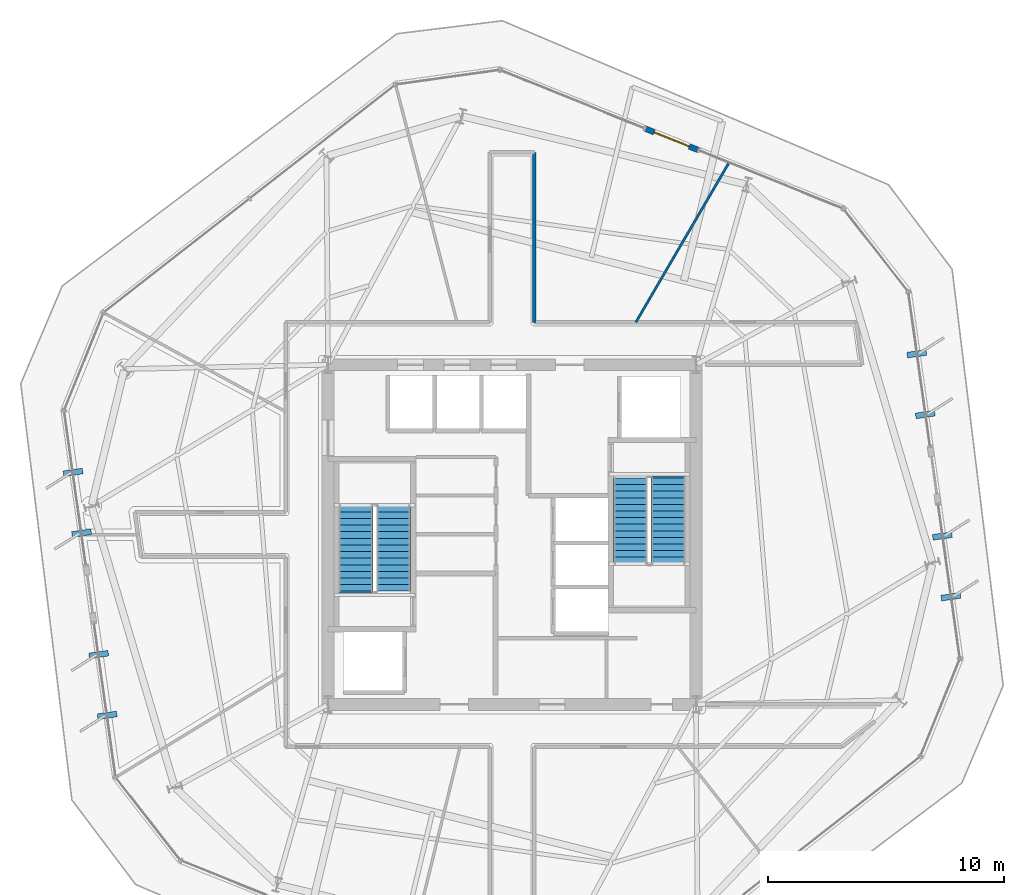
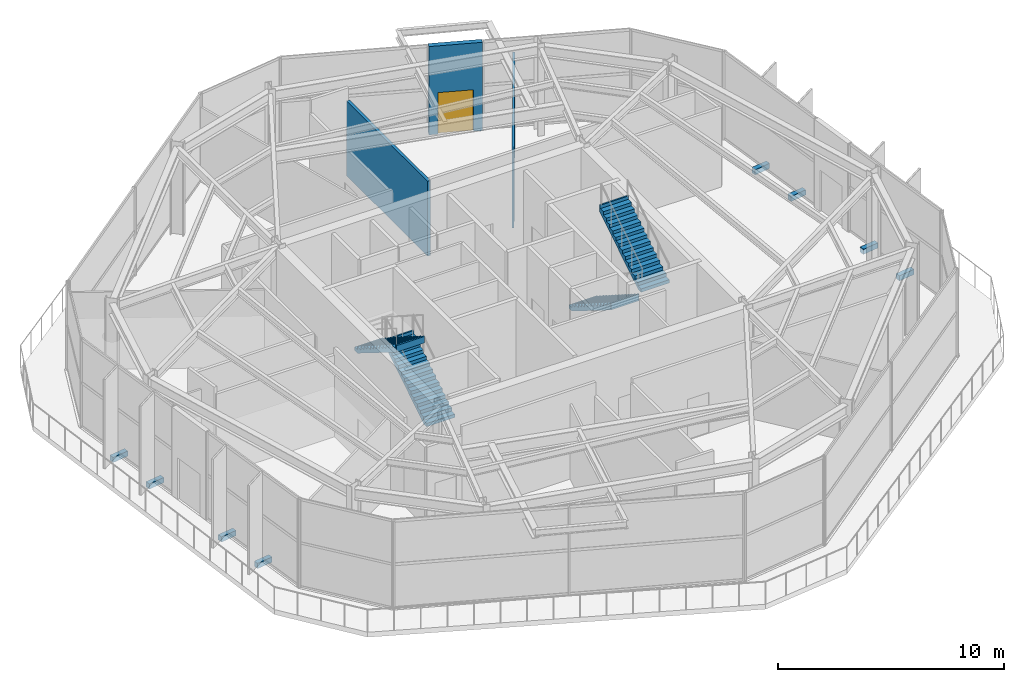
# One storey, part 11 of 14: 8 discrete accessories, 4 stair flights, 3 walls, 1 door, 1 opening, 2 elements without a shape of their own.
"""IFC4 building model written with IfcOpenShell, lengths in metres."""

from ifc_helpers import new_model, si_unit, direction, frame, frame_2d, origin, origin_2d, place, context, subcontext, project, spatial, polyline, rectangle, outline, extrude, material, layer, layer_set, type_object, element, fill, aggregate, save


model = new_model("IFC4")

# Units and contexts
model_context = context("Model", 3, precision=1e-05, world=origin(), true_north=direction((0.0, 1.0)))
body_context = subcontext(model_context, "Body", "Model", "MODEL_VIEW")
ifc_project = project(units=[si_unit("LENGTHUNIT", "METRE"), si_unit("AREAUNIT", "SQUARE_METRE"), si_unit("VOLUMEUNIT", "CUBIC_METRE"), si_unit("PLANEANGLEUNIT", "RADIAN"), si_unit("MASSUNIT", "GRAM", prefix="KILO")], contexts=[model_context])

# Site, building, storey
site_placement = place(None, origin())
site = spatial("IfcSite", under=ifc_project, at=site_placement, CompositionType="ELEMENT")
building_placement = place(site_placement, origin())
building = spatial("IfcBuilding", under=site, at=building_placement, Name="Kranzbogen Civic Tower", CompositionType="ELEMENT")
storey_placement = place(building_placement, frame((0.0, 0.0, 175.800048828125)))
storey = spatial("IfcBuildingStorey", under=building, at=storey_placement, Name="L42", CompositionType="ELEMENT", Elevation=175.800048828125)

# Walls
ifc_material_1 = material(Name="Double-Stud Acoustic Gypsum Partition")
ifc_layer_1 = layer(ifc_material_1, 0.14990234375, Name="Double-Stud Acoustic Gypsum Partition")
ifc_layer_set_1 = layer_set([ifc_layer_1], Name="Double-Stud Acoustic Gypsum Partition")
wall_type_1 = type_object("IfcWallType", Name="Acoustic Corridor and Clinical Partition 150 mm", PredefinedType="PARTITIONING", material=ifc_layer_set_1)
wall_1_placement = place(storey_placement, frame((25.949951171875, 41.199951171875, 0.0), z_axis=(0.0, 0.0, 1.0), x_axis=(0.0, -1.0, 0.0)))
element("IfcWall", 1, at=wall_1_placement, inside=storey, type_object=wall_type_1, Name="L42 corridor partition 13", PredefinedType="PARTITIONING", context=body_context, shape_type="SweptSolid", body=[
    extrude(rectangle(XDim=7.199951171875, YDim=0.14990234375, at=frame_2d((3.60009765625, 0.0))), origin(), (0.0, 0.0, 1.0), 4.050048828125),
])
ifc_material_2 = material(Name="Demountable Aluminium and Gypsum Partition", Category="aluminium")
ifc_layer_2 = layer(ifc_material_2, 0.10009765625, Name="Demountable Aluminium and Gypsum Partition")
ifc_layer_set_2 = layer_set([ifc_layer_2], Name="Demountable Aluminium and Gypsum Partition")
wall_type_2 = type_object("IfcWallType", Name="Demountable Office Partition 100 mm", PredefinedType="MOVABLE", material=ifc_layer_set_2)
wall_2_placement = place(storey_placement, frame((30.2509765625, 34.0, 0.0), z_axis=(0.0, 0.0, 1.0), x_axis=(0.503904002924, 0.863759663238, 0.0)))
element("IfcWall", 2, at=wall_2_placement, inside=storey, type_object=wall_type_2, Name="L42 radial room partition 01", PredefinedType="MOVABLE", context=body_context, shape_type="SweptSolid", body=[
    extrude(rectangle(XDim=7.8251953125, YDim=0.10009765625, at=frame_2d((3.91259765625, 0.0))), origin(), (0.0, 0.0, 1.0), 4.050048828125),
])

# Wall, opening, door
ifc_material_3 = material(Name="Pale Anodised Aluminium", Category="aluminium")
ifc_layer_3 = layer(ifc_material_3, 0.239990234375, Name="Pale Anodised Aluminium")
ifc_layer_set_3 = layer_set([ifc_layer_3], Name="Pale Anodised Aluminium")
wall_type_3 = type_object("IfcWallType", Name="Insulated Aluminium Facade Portal Wall 240 mm", PredefinedType="STANDARD", material=ifc_layer_set_3)
wall_3_placement = place(storey_placement, frame((32.883056640625, 41.305908203125, 0.0), z_axis=(0.0, 0.0, 1.0), x_axis=(-0.927158943198, 0.374668245315, 0.0)))
wall_3 = element("IfcWall", 3, at=wall_3_placement, inside=storey, type_object=wall_type_3, Name="L42 exterior entrance portal wall 1", PredefinedType="STANDARD", context=body_context, shape_type="SweptSolid", body=[
    extrude(rectangle(XDim=2.39990234375, YDim=0.239990234375, at=frame_2d((1.199951171875, 0.0))), origin(), (0.0, 0.0, 1.0), 4.780029296875),
])
opening_placement = place(wall_3_placement, frame((0.39990234375, 0.0, 0.0)))
opening = element("IfcOpeningElement", 4, at=opening_placement, cuts=wall_3, Name="Opening D-TER", PredefinedType="OPENING", context=body_context, shape_type="SweptSolid", body=[
    extrude(rectangle(XDim=1.60009765625, YDim=2.25, at=frame_2d((0.800048828125, 1.125))), frame((0.0, 0.1298828125, 0.0), z_axis=(0.0, -1.0, 0.0), x_axis=(1.0, 0.0, 0.0)), (0.0, 0.0, 1.0), 0.260009765625),
])
ifc_material_4 = material(Name="Anodised Bronze and Triple Glass", Category="glass")
door_type = type_object("IfcDoorType", Name="Glazed Terrace and Balcony Double Door 1600x2250", OperationType="DOUBLE_DOOR_SINGLE_SWING", PredefinedType="DOOR", material=ifc_material_4)
door_placement = place(opening_placement, frame((1.60009765625, 0.0, 0.0), z_axis=(0.0, 0.0, 1.0), x_axis=(-1.0, 0.0, 0.0)))
door = element("IfcDoor", 5, at=door_placement, inside=storey, type_object=door_type, Name="L42 spiral terrace access door L42-ST", OperationType="DOUBLE_DOOR_SINGLE_SWING", OverallHeight=2.25, OverallWidth=1.60009765625, PredefinedType="DOOR", context=body_context, shape_type="SweptSolid", body=[
    extrude(rectangle(XDim=1.60009765625, YDim=2.25, at=frame_2d((0.800048828125, 1.125))), frame((0.0, 0.02490234375, 0.0), z_axis=(0.0, -1.0, 0.0), x_axis=(1.0, 0.0, 0.0)), (0.0, 0.0, 1.0), 0.050048828125),
])
fill(opening, door)

# Stair, stair flights
ifc_material_5 = material(Name="Precast concrete C40/50", Category="concrete")
stair_type_1 = type_object("IfcStairType", Name="Tower Core Pressurized Dogleg Stair 1450", PredefinedType="HALF_TURN_STAIR", material=ifc_material_5)
stair_1_placement = place(storey_placement, origin())
stair_1 = element("IfcStair", 6, at=stair_1_placement, inside=storey, type_object=stair_type_1, Name="L42 Tower Core Pressurized Stair 1", PredefinedType="HALF_TURN_STAIR")
stair_flight_type = type_object("IfcStairFlightType", Name="Precast Concrete Stair Flight R179", PredefinedType="STRAIGHT", material=ifc_material_5)
stair_flight_1_placement = place(storey_placement, frame((19.97509765625, 22.60009765625, 0.0), z_axis=(0.0, 0.0, 1.0), x_axis=(0.0, 1.0, 0.0)))
stair_flight_1 = element("IfcStairFlight", 7, at=stair_flight_1_placement, type_object=stair_flight_type, Name="ST-T1 flight 1", NumberOfRisers=14, NumberOfTreads=13, PredefinedType="STRAIGHT", RiserHeight=0.178571429, TreadLength=0.28, context=body_context, shape_type="SweptSolid", body=[
    extrude(outline(polyline([(0.0, 0.0), (0.0, 0.178466796875), (0.280029296875, 0.178466796875), (0.280029296875, 0.357177734375), (0.56005859375, 0.357177734375), (0.56005859375, 0.53564453125), (0.840087890625, 0.53564453125), (0.840087890625, 0.71435546875), (1.1201171875, 0.71435546875), (1.1201171875, 0.892822265625), (1.39990234375, 0.892822265625), (1.39990234375, 1.071533203125), (1.679931640625, 1.071533203125), (1.679931640625, 1.25), (1.9599609375, 1.25), (1.9599609375, 1.428466796875), (2.239990234375, 1.428466796875), (2.239990234375, 1.607177734375), (2.52001953125, 1.607177734375), (2.52001953125, 1.78564453125), (2.800048828125, 1.78564453125), (2.800048828125, 1.96435546875), (3.080078125, 1.96435546875), (3.080078125, 2.142822265625), (3.360107421875, 2.142822265625), (3.360107421875, 2.321533203125), (3.639892578125, 2.321533203125), (3.639892578125, 2.5), (3.719970703125, 2.5), (3.719970703125, 2.1435546875), (0.27880859375, 0.0), (0.0, 0.0)])), frame((0.0, 0.72509765625, 0.0), z_axis=(0.0, -1.0, 0.0), x_axis=(1.0, 0.0, 0.0)), (0.0, 0.0, 1.0), 1.449951171875),
])
stair_flight_2_placement = place(storey_placement, frame((18.375, 26.239990234375, 2.5), z_axis=(0.0, 0.0, 1.0), x_axis=(0.0, -1.0, 0.0)))
stair_flight_2 = element("IfcStairFlight", 8, at=stair_flight_2_placement, type_object=stair_flight_type, Name="ST-T1 flight 2", NumberOfRisers=14, NumberOfTreads=13, PredefinedType="STRAIGHT", RiserHeight=0.178571429, TreadLength=0.28, context=body_context, shape_type="SweptSolid", body=[
    extrude(outline(polyline([(0.0, 0.0), (0.0, 0.178466796875), (0.280029296875, 0.178466796875), (0.280029296875, 0.357177734375), (0.56005859375, 0.357177734375), (0.56005859375, 0.53564453125), (0.840087890625, 0.53564453125), (0.840087890625, 0.71435546875), (1.1201171875, 0.71435546875), (1.1201171875, 0.892822265625), (1.39990234375, 0.892822265625), (1.39990234375, 1.071533203125), (1.679931640625, 1.071533203125), (1.679931640625, 1.25), (1.9599609375, 1.25), (1.9599609375, 1.428466796875), (2.239990234375, 1.428466796875), (2.239990234375, 1.607177734375), (2.52001953125, 1.607177734375), (2.52001953125, 1.78564453125), (2.800048828125, 1.78564453125), (2.800048828125, 1.96435546875), (3.080078125, 1.96435546875), (3.080078125, 2.142822265625), (3.360107421875, 2.142822265625), (3.360107421875, 2.321533203125), (3.639892578125, 2.321533203125), (3.639892578125, 2.5), (3.719970703125, 2.5), (3.719970703125, 2.1435546875), (0.27880859375, 0.0), (0.0, 0.0)])), frame((0.0, 0.72509765625, 0.0), z_axis=(0.0, -1.0, 0.0), x_axis=(1.0, 0.0, 0.0)), (0.0, 0.0, 1.0), 1.449951171875),
])
aggregate(stair_1, [stair_flight_1, stair_flight_2])

stair_type_2 = type_object("IfcStairType", Name="Tower Core Secondary Dogleg Stair 1450", PredefinedType="HALF_TURN_STAIR", material=ifc_material_5)
stair_2_placement = place(storey_placement, origin())
stair_2 = element("IfcStair", 9, at=stair_2_placement, inside=storey, type_object=stair_type_2, Name="L42 Tower Core Pressurized Stair 2", PredefinedType="HALF_TURN_STAIR")
stair_flight_3_placement = place(storey_placement, frame((30.02490234375, 27.39990234375, 0.0), z_axis=(0.0, 0.0, 1.0), x_axis=(0.0, -1.0, 0.0)))
stair_flight_3 = element("IfcStairFlight", 10, at=stair_flight_3_placement, type_object=stair_flight_type, Name="ST-T2 flight 1", NumberOfRisers=14, NumberOfTreads=13, PredefinedType="STRAIGHT", RiserHeight=0.178571429, TreadLength=0.28, context=body_context, shape_type="SweptSolid", body=[
    extrude(outline(polyline([(0.0, 0.0), (0.0, 0.178466796875), (0.280029296875, 0.178466796875), (0.280029296875, 0.357177734375), (0.56005859375, 0.357177734375), (0.56005859375, 0.53564453125), (0.840087890625, 0.53564453125), (0.840087890625, 0.71435546875), (1.1201171875, 0.71435546875), (1.1201171875, 0.892822265625), (1.39990234375, 0.892822265625), (1.39990234375, 1.071533203125), (1.679931640625, 1.071533203125), (1.679931640625, 1.25), (1.9599609375, 1.25), (1.9599609375, 1.428466796875), (2.239990234375, 1.428466796875), (2.239990234375, 1.607177734375), (2.52001953125, 1.607177734375), (2.52001953125, 1.78564453125), (2.800048828125, 1.78564453125), (2.800048828125, 1.96435546875), (3.080078125, 1.96435546875), (3.080078125, 2.142822265625), (3.360107421875, 2.142822265625), (3.360107421875, 2.321533203125), (3.639892578125, 2.321533203125), (3.639892578125, 2.5), (3.719970703125, 2.5), (3.719970703125, 2.1435546875), (0.27880859375, 0.0), (0.0, 0.0)])), frame((0.0, 0.72509765625, 0.0), z_axis=(0.0, -1.0, 0.0), x_axis=(1.0, 0.0, 0.0)), (0.0, 0.0, 1.0), 1.449951171875),
])
stair_flight_4_placement = place(storey_placement, frame((31.625, 23.760009765625, 2.5), z_axis=(0.0, 0.0, 1.0), x_axis=(0.0, 1.0, 0.0)))
stair_flight_4 = element("IfcStairFlight", 11, at=stair_flight_4_placement, type_object=stair_flight_type, Name="ST-T2 flight 2", NumberOfRisers=14, NumberOfTreads=13, PredefinedType="STRAIGHT", RiserHeight=0.178571429, TreadLength=0.28, context=body_context, shape_type="SweptSolid", body=[
    extrude(outline(polyline([(0.0, 0.0), (0.0, 0.178466796875), (0.280029296875, 0.178466796875), (0.280029296875, 0.357177734375), (0.56005859375, 0.357177734375), (0.56005859375, 0.53564453125), (0.840087890625, 0.53564453125), (0.840087890625, 0.71435546875), (1.1201171875, 0.71435546875), (1.1201171875, 0.892822265625), (1.39990234375, 0.892822265625), (1.39990234375, 1.071533203125), (1.679931640625, 1.071533203125), (1.679931640625, 1.25), (1.9599609375, 1.25), (1.9599609375, 1.428466796875), (2.239990234375, 1.428466796875), (2.239990234375, 1.607177734375), (2.52001953125, 1.607177734375), (2.52001953125, 1.78564453125), (2.800048828125, 1.78564453125), (2.800048828125, 1.96435546875), (3.080078125, 1.96435546875), (3.080078125, 2.142822265625), (3.360107421875, 2.142822265625), (3.360107421875, 2.321533203125), (3.639892578125, 2.321533203125), (3.639892578125, 2.5), (3.719970703125, 2.5), (3.719970703125, 2.1435546875), (0.27880859375, 0.0), (0.0, 0.0)])), frame((0.0, 0.72509765625, 0.0), z_axis=(0.0, -1.0, 0.0), x_axis=(1.0, 0.0, 0.0)), (0.0, 0.0, 1.0), 1.449951171875),
])
aggregate(stair_2, [stair_flight_3, stair_flight_4])

# Discrete accessories
ifc_material_6 = material(Name="Steel S355", Category="steel")
discrete_accessory_type = type_object("IfcDiscreteAccessoryType", Name="Structural Curtain-Wall Fin Support Bracket", PredefinedType="BRACKET", material=ifc_material_6)
for number, where, z_axis, x_axis, name in (
    (12, (6.39208984375, 27.635986328125, -0.25), (0.0, 0.0, 1.0), (-0.990268068742, -0.13917310096, 0.0), "L42 facade fin support bracket F3-1"),
    (13, (6.75390625, 25.06103515625, -0.25), (0.0, 0.0, 1.0), (-0.990268068742, -0.13917310096, 0.0), "L42 facade fin support bracket F3-2"),
    (14, (7.47802734375, 19.912109375, -0.25), (0.0, 0.0, 1.0), (-0.990268068742, -0.13917310096, 0.0), "L42 facade fin support bracket F3-4"),
    (15, (7.839111328125, 17.3369140625, -0.25), (0.0, 0.0, 1.0), (-0.990268068742, -0.13917310096, 0.0), "L42 facade fin support bracket F3-5"),
    (16, (43.60791015625, 22.364013671875, -0.25), (0.0, 0.0, 1.0), (0.990268068742, 0.13917310096, 0.0), "L42 facade fin support bracket F6-1"),
    (17, (43.24609375, 24.93896484375, -0.25), (0.0, 0.0, 1.0), (0.990268068742, 0.13917310096, 0.0), "L42 facade fin support bracket F6-2"),
    (18, (42.52197265625, 30.087890625, -0.25), (0.0, 0.0, 1.0), (0.990268068742, 0.13917310096, 0.0), "L42 facade fin support bracket F6-4"),
    (19, (42.160888671875, 32.6630859375, -0.25), (0.0, 0.0, 1.0), (0.990268068742, 0.13917310096, 0.0), "L42 facade fin support bracket F6-5"),
):
    element("IfcDiscreteAccessory", number, at=place(storey_placement, frame(where, z_axis=z_axis, x_axis=x_axis)), inside=storey, type_object=discrete_accessory_type, Name=name, PredefinedType="BRACKET", context=body_context, shape_type="SweptSolid", body=[
        extrude(rectangle(XDim=0.820068359375, YDim=0.239990234375, at=origin_2d()), origin(), (0.0, 0.0, 1.0), 0.280029296875),
    ])

save(model, "model.ifc")
